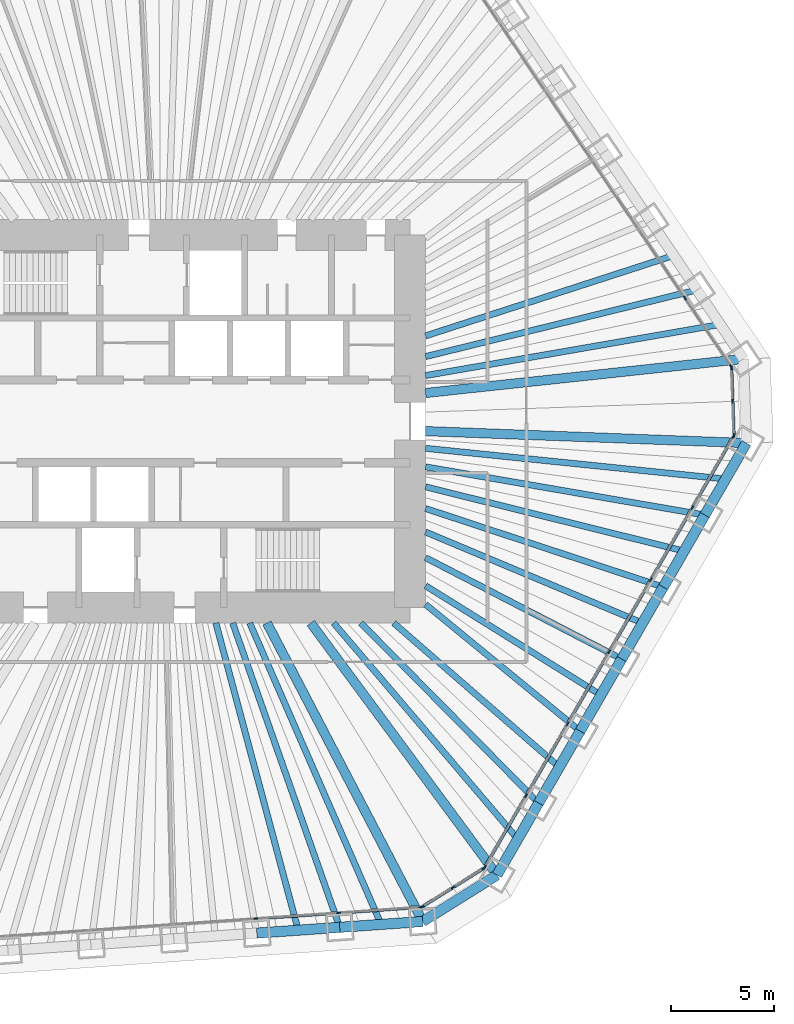
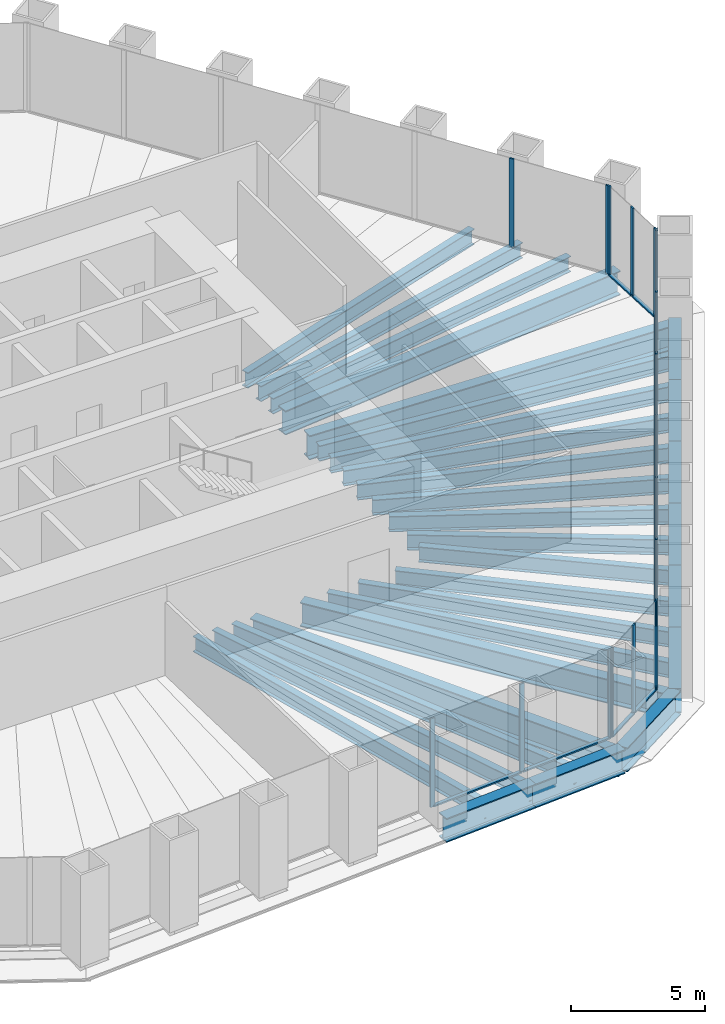
# One storey, part 4 of 13: 30 beams, 30 members, 5 elements without a shape of their own.
"""IFC4 building model written with IfcOpenShell, lengths in metres."""

from ifc_helpers import new_model, si_unit, direction, frame, origin, origin_2d, place, context, subcontext, project, spatial, rectangle, i_section, extrude, material, material_profile, profile_set, type_object, element, aggregate, save


model = new_model("IFC4")

# Units and contexts
model_context = context("Model", 3, precision=1e-05, world=origin(), true_north=direction((0.0, 1.0)))
body_context = subcontext(model_context, "Body", "Model", "MODEL_VIEW")
ifc_project = project(units=[si_unit("LENGTHUNIT", "METRE"), si_unit("AREAUNIT", "SQUARE_METRE"), si_unit("VOLUMEUNIT", "CUBIC_METRE"), si_unit("PLANEANGLEUNIT", "RADIAN"), si_unit("MASSUNIT", "GRAM", prefix="KILO")], contexts=[model_context])

# Site, building, storey
site_placement = place(None, origin())
site = spatial("IfcSite", under=ifc_project, at=site_placement, CompositionType="ELEMENT")
building_placement = place(site_placement, origin())
building = spatial("IfcBuilding", under=site, at=building_placement, Name="Qingtian Harvest Tower", CompositionType="ELEMENT")
storey_placement = place(building_placement, frame((0.0, 0.0, 140.800048828125)))
storey = spatial("IfcBuildingStorey", under=building, at=storey_placement, Name="L29", CompositionType="ELEMENT", Elevation=140.800048828125)

# Beams
ifc_material_1 = material(Name="Steel SM570MC", Category="steel")
ifc_material_profile_1 = material_profile(ifc_material_1, i_section(OverallWidth=0.449951171875, OverallDepth=1.10009765625, WebThickness=0.02197265625, FlangeThickness=0.044921875, at=origin_2d()), Name="H1100x450x22x45")
ifc_profile_set_1 = profile_set([ifc_material_profile_1], Name="Steel SM570MC")
beam_type_1 = type_object("IfcBeamType", Name="Corner floor beam FB8 H1100x450x22x45", PredefinedType="BEAM", material=ifc_profile_set_1)
beam_1_placement = place(storey_placement, frame((28.119384765625, 3.0185546875, -0.719970703125), z_axis=(-0.994287324052, -0.106736672374, 0.0), x_axis=(0.106736672374, -0.994287324052, 0.0)))
element("IfcBeam", 1, at=beam_1_placement, inside=storey, type_object=beam_type_1, Name="Floor beam FB8 NE6", PredefinedType="BEAM", context=body_context, shape_type="SweptSolid", body=[
    extrude(i_section(OverallWidth=0.449951171875, OverallDepth=1.10009765625, WebThickness=0.02197265625, FlangeThickness=0.044921875, at=origin_2d()), origin(), (0.0, 0.0, 1.0), 15.457763671875),
])
beam_2_placement = place(storey_placement, frame((28.261474609375, -1.049560546875, -0.719970703125), z_axis=(-0.999311425285, 0.03710357523, 0.0), x_axis=(-0.03710357523, -0.999311425285, 0.0)))
element("IfcBeam", 2, at=beam_2_placement, inside=storey, type_object=beam_type_1, Name="Floor beam FB8 SE0", PredefinedType="BEAM", context=body_context, shape_type="SweptSolid", body=[
    extrude(i_section(OverallWidth=0.449951171875, OverallDepth=1.10009765625, WebThickness=0.02197265625, FlangeThickness=0.044921875, at=origin_2d()), origin(), (0.0, 0.0, 1.0), 15.522216796875),
])
beam_3_placement = place(storey_placement, frame((16.204345703125, -21.933349609375, -0.719970703125), z_axis=(-0.594215666968, 0.804305751023, 0.0), x_axis=(-0.804305751023, -0.594215666968, 0.0)))
element("IfcBeam", 3, at=beam_3_placement, inside=storey, type_object=beam_type_1, Name="Floor beam FB8 SE6", PredefinedType="BEAM", context=body_context, shape_type="SweptSolid", body=[
    extrude(i_section(OverallWidth=0.449951171875, OverallDepth=1.10009765625, WebThickness=0.02197265625, FlangeThickness=0.044921875, at=origin_2d()), origin(), (0.0, 0.0, 1.0), 15.147705078125),
])
beam_4_placement = place(storey_placement, frame((12.610107421875, -24.17919921875, -0.719970703125), z_axis=(-0.462414751295, 0.886663745613, 0.0), x_axis=(-0.886663745613, -0.462414751295, 0.0)))
element("IfcBeam", 4, at=beam_4_placement, inside=storey, type_object=beam_type_1, Name="Floor beam FB8 S0", PredefinedType="BEAM", context=body_context, shape_type="SweptSolid", body=[
    extrude(i_section(OverallWidth=0.449951171875, OverallDepth=1.10009765625, WebThickness=0.02197265625, FlangeThickness=0.044921875, at=origin_2d()), origin(), (0.0, 0.0, 1.0), 16.273681640625),
])
ifc_material_2 = material(Name="Steel SN490B", Category="steel")
ifc_material_profile_2 = material_profile(ifc_material_2, i_section(OverallWidth=0.300048828125, OverallDepth=0.699951171875, WebThickness=0.012939453125, FlangeThickness=0.02392578125, at=origin_2d()), Name="H700x300x13x24")
ifc_profile_set_2 = profile_set([ifc_material_profile_2], Name="Steel SN490B")
beam_type_2 = type_object("IfcBeamType", Name="Floor beam FB2 H700x300x13x24", PredefinedType="BEAM", material=ifc_profile_set_2)
beam_5_placement = place(storey_placement, frame((25.8720703125, 6.3505859375, -0.52001953125), z_axis=(-0.971170997483, -0.2383839207, 0.0), x_axis=(0.2383839207, -0.971170997483, 0.0)))
element("IfcBeam", 5, at=beam_5_placement, inside=storey, type_object=beam_type_2, Name="Floor beam FB2 NE5", PredefinedType="BEAM", context=body_context, shape_type="SweptSolid", body=[
    extrude(i_section(OverallWidth=0.300048828125, OverallDepth=0.699951171875, WebThickness=0.012939453125, FlangeThickness=0.02392578125, at=origin_2d()), origin(), (0.0, 0.0, 1.0), 13.511474609375),
])
beam_6_placement = place(storey_placement, frame((26.251953125, -4.5302734375, -0.52001953125), z_axis=(-0.985433767107, 0.170059667895, 0.0), x_axis=(-0.170059667895, -0.985433767107, 0.0)))
element("IfcBeam", 6, at=beam_6_placement, inside=storey, type_object=beam_type_2, Name="Floor beam FB2 SE1", PredefinedType="BEAM", context=body_context, shape_type="SweptSolid", body=[
    extrude(i_section(OverallWidth=0.300048828125, OverallDepth=0.699951171875, WebThickness=0.012939453125, FlangeThickness=0.02392578125, at=origin_2d()), origin(), (0.0, 0.0, 1.0), 13.701416015625),
])
beam_7_placement = place(storey_placement, frame((24.242431640625, -8.010986328125, -0.52001953125), z_axis=(-0.949497047328, 0.31377596644, 0.0), x_axis=(-0.31377596644, -0.949497047328, 0.0)))
element("IfcBeam", 7, at=beam_7_placement, inside=storey, type_object=beam_type_2, Name="Floor beam FB2 SE2", PredefinedType="BEAM", context=body_context, shape_type="SweptSolid", body=[
    extrude(i_section(OverallWidth=0.300048828125, OverallDepth=0.699951171875, WebThickness=0.012939453125, FlangeThickness=0.02392578125, at=origin_2d()), origin(), (0.0, 0.0, 1.0), 12.103759765625),
])
beam_8_placement = place(storey_placement, frame((22.23291015625, -11.491455078125, -0.52001953125), z_axis=(-0.888354700773, 0.459157843899, 0.0), x_axis=(-0.459157843899, -0.888354700773, 0.0)))
element("IfcBeam", 8, at=beam_8_placement, inside=storey, type_object=beam_type_2, Name="Floor beam FB2 SE3", PredefinedType="BEAM", context=body_context, shape_type="SweptSolid", body=[
    extrude(i_section(OverallWidth=0.300048828125, OverallDepth=0.699951171875, WebThickness=0.012939453125, FlangeThickness=0.02392578125, at=origin_2d()), origin(), (0.0, 0.0, 1.0), 10.6748046875),
])
beam_9_placement = place(storey_placement, frame((20.223388671875, -14.97216796875, -0.52001953125), z_axis=(-0.773577716445, 0.633701441233, 0.0), x_axis=(-0.633701441233, -0.773577716445, 0.0)))
element("IfcBeam", 9, at=beam_9_placement, inside=storey, type_object=beam_type_2, Name="Floor beam FB2 SE4", PredefinedType="BEAM", context=body_context, shape_type="SweptSolid", body=[
    extrude(i_section(OverallWidth=0.300048828125, OverallDepth=0.699951171875, WebThickness=0.012939453125, FlangeThickness=0.02392578125, at=origin_2d()), origin(), (0.0, 0.0, 1.0), 9.660888671875),
])
beam_10_placement = place(storey_placement, frame((18.2138671875, -18.452880859375, -0.52001953125), z_axis=(-0.702479751847, 0.711703729262, 0.0), x_axis=(-0.711703729262, -0.702479751847, 0.0)))
element("IfcBeam", 10, at=beam_10_placement, inside=storey, type_object=beam_type_2, Name="Floor beam FB2 SE5", PredefinedType="BEAM", context=body_context, shape_type="SweptSolid", body=[
    extrude(i_section(OverallWidth=0.300048828125, OverallDepth=0.699951171875, WebThickness=0.012939453125, FlangeThickness=0.02392578125, at=origin_2d()), origin(), (0.0, 0.0, 1.0), 12.228271484375),
])
beam_11_placement = place(storey_placement, frame((8.600830078125, -24.459716796875, -0.52001953125), z_axis=(-0.331719146802, 0.943378189087, 0.0), x_axis=(-0.943378189087, -0.331719146802, 0.0)))
element("IfcBeam", 11, at=beam_11_placement, inside=storey, type_object=beam_type_2, Name="Floor beam FB2 S1", PredefinedType="BEAM", context=body_context, shape_type="SweptSolid", body=[
    extrude(i_section(OverallWidth=0.300048828125, OverallDepth=0.699951171875, WebThickness=0.012939453125, FlangeThickness=0.02392578125, at=origin_2d()), origin(), (0.0, 0.0, 1.0), 15.592529296875),
])
ifc_material_3 = material(Name="Steel SN490B", Category="steel")
ifc_material_profile_3 = material_profile(ifc_material_3, i_section(OverallWidth=0.300048828125, OverallDepth=0.699951171875, WebThickness=0.012939453125, FlangeThickness=0.02392578125, at=origin_2d()), Name="H700x300x13x24")
ifc_profile_set_3 = profile_set([ifc_material_profile_3], Name="Steel SN490B")
beam_type_3 = type_object("IfcBeamType", Name="Floor joist J2 H700x300x13x24", PredefinedType="JOIST", material=ifc_profile_set_3)
beam_12_placement = place(storey_placement, frame((24.748291015625, 8.016357421875, -0.52001953125), z_axis=(-0.951335907519, -0.308155790249, 0.0), x_axis=(0.308155790249, -0.951335907519, 0.0)))
element("IfcBeam", 12, at=beam_12_placement, inside=storey, type_object=beam_type_3, Name="Floor joist J2 NE4", PredefinedType="JOIST", context=body_context, shape_type="SweptSolid", body=[
    extrude(i_section(OverallWidth=0.300048828125, OverallDepth=0.699951171875, WebThickness=0.012939453125, FlangeThickness=0.02392578125, at=origin_2d()), origin(), (0.0, 0.0, 1.0), 12.612060546875),
])
beam_13_placement = place(storey_placement, frame((26.99560546875, 4.6845703125, -0.52001953125), z_axis=(-0.985273903188, -0.17098343691, 0.0), x_axis=(0.17098343691, -0.985273903188, 0.0)))
element("IfcBeam", 13, at=beam_13_placement, inside=storey, type_object=beam_type_3, Name="Floor joist J2 NE5", PredefinedType="JOIST", context=body_context, shape_type="SweptSolid", body=[
    extrude(i_section(OverallWidth=0.300048828125, OverallDepth=0.699951171875, WebThickness=0.012939453125, FlangeThickness=0.02392578125, at=origin_2d()), origin(), (0.0, 0.0, 1.0), 14.45849609375),
])
beam_14_placement = place(storey_placement, frame((27.2568359375, -2.7900390625, -0.52001953125), z_axis=(-0.994802418411, 0.101824104826, 0.0), x_axis=(-0.101824104826, -0.994802418411, 0.0)))
element("IfcBeam", 14, at=beam_14_placement, inside=storey, type_object=beam_type_3, Name="Floor joist J2 SE0", PredefinedType="JOIST", context=body_context, shape_type="SweptSolid", body=[
    extrude(i_section(OverallWidth=0.300048828125, OverallDepth=0.699951171875, WebThickness=0.012939453125, FlangeThickness=0.02392578125, at=origin_2d()), origin(), (0.0, 0.0, 1.0), 14.58251953125),
])
beam_15_placement = place(storey_placement, frame((25.247314453125, -6.2705078125, -0.52001953125), z_axis=(-0.970517179244, 0.241031958032, 0.0), x_axis=(-0.241031958032, -0.970517179244, 0.0)))
element("IfcBeam", 15, at=beam_15_placement, inside=storey, type_object=beam_type_3, Name="Floor joist J2 SE1", PredefinedType="JOIST", context=body_context, shape_type="SweptSolid", body=[
    extrude(i_section(OverallWidth=0.300048828125, OverallDepth=0.699951171875, WebThickness=0.012939453125, FlangeThickness=0.02392578125, at=origin_2d()), origin(), (0.0, 0.0, 1.0), 12.876953125),
])
beam_16_placement = place(storey_placement, frame((23.237548828125, -9.751220703125, -0.52001953125), z_axis=(-0.922104219626, 0.386941608189, 0.0), x_axis=(-0.386941608189, -0.922104219626, 0.0)))
element("IfcBeam", 16, at=beam_16_placement, inside=storey, type_object=beam_type_3, Name="Floor joist J2 SE2", PredefinedType="JOIST", context=body_context, shape_type="SweptSolid", body=[
    extrude(i_section(OverallWidth=0.300048828125, OverallDepth=0.699951171875, WebThickness=0.012939453125, FlangeThickness=0.02392578125, at=origin_2d()), origin(), (0.0, 0.0, 1.0), 11.37353515625),
])
beam_17_placement = place(storey_placement, frame((21.22802734375, -13.23193359375, -0.52001953125), z_axis=(-0.848631984892, 0.528983699389, 0.0), x_axis=(-0.528983699389, -0.848631984892, 0.0)))
element("IfcBeam", 17, at=beam_17_placement, inside=storey, type_object=beam_type_3, Name="Floor joist J2 SE3", PredefinedType="JOIST", context=body_context, shape_type="SweptSolid", body=[
    extrude(i_section(OverallWidth=0.300048828125, OverallDepth=0.699951171875, WebThickness=0.012939453125, FlangeThickness=0.02392578125, at=origin_2d()), origin(), (0.0, 0.0, 1.0), 9.990234375),
])
beam_18_placement = place(storey_placement, frame((19.218505859375, -16.71240234375, -0.52001953125), z_axis=(-0.754588679317, 0.656198083697, 0.0), x_axis=(-0.656198083697, -0.754588679317, 0.0)))
element("IfcBeam", 18, at=beam_18_placement, inside=storey, type_object=beam_type_3, Name="Floor joist J2 SE4", PredefinedType="JOIST", context=body_context, shape_type="SweptSolid", body=[
    extrude(i_section(OverallWidth=0.300048828125, OverallDepth=0.699951171875, WebThickness=0.012939453125, FlangeThickness=0.02392578125, at=origin_2d()), origin(), (0.0, 0.0, 1.0), 10.610107421875),
])
beam_19_placement = place(storey_placement, frame((17.208984375, -20.193115234375, -0.52001953125), z_axis=(-0.648631797865, 0.76110235238, 0.0), x_axis=(-0.76110235238, -0.648631797865, 0.0)))
element("IfcBeam", 19, at=beam_19_placement, inside=storey, type_object=beam_type_3, Name="Floor joist J2 SE5", PredefinedType="JOIST", context=body_context, shape_type="SweptSolid", body=[
    extrude(i_section(OverallWidth=0.300048828125, OverallDepth=0.699951171875, WebThickness=0.012939453125, FlangeThickness=0.02392578125, at=origin_2d()), origin(), (0.0, 0.0, 1.0), 13.720947265625),
])
beam_20_placement = place(storey_placement, frame((10.60546875, -24.3193359375, -0.52001953125), z_axis=(-0.399732363577, 0.916631898588, 0.0), x_axis=(-0.916631898588, -0.399732363577, 0.0)))
element("IfcBeam", 20, at=beam_20_placement, inside=storey, type_object=beam_type_3, Name="Floor joist J2 S0", PredefinedType="JOIST", context=body_context, shape_type="SweptSolid", body=[
    extrude(i_section(OverallWidth=0.300048828125, OverallDepth=0.699951171875, WebThickness=0.012939453125, FlangeThickness=0.02392578125, at=origin_2d()), origin(), (0.0, 0.0, 1.0), 15.89453125),
])
beam_21_placement = place(storey_placement, frame((6.59619140625, -24.599853515625, -0.52001953125), z_axis=(-0.258996688759, 0.965878209306, 0.0), x_axis=(-0.965878209306, -0.258996688759, 0.0)))
element("IfcBeam", 21, at=beam_21_placement, inside=storey, type_object=beam_type_3, Name="Floor joist J2 S1", PredefinedType="JOIST", context=body_context, shape_type="SweptSolid", body=[
    extrude(i_section(OverallWidth=0.300048828125, OverallDepth=0.699951171875, WebThickness=0.012939453125, FlangeThickness=0.02392578125, at=origin_2d()), origin(), (0.0, 0.0, 1.0), 15.37451171875),
])

# Curtain wall, members
ifc_material_4 = material(Name="Bronze-anodised aluminium curtain wall", Category="aluminium")
curtain_wall_type = type_object("IfcCurtainWallType", Name="Curtain wall CW4 office", PredefinedType="USERDEFINED", material=ifc_material_4)
curtain_wall_1_placement = place(storey_placement, origin())
curtain_wall_1 = element("IfcCurtainWall", 22, at=curtain_wall_1_placement, inside=storey, type_object=curtain_wall_type, Name="Curtain wall CW4 L29 NE0-5", ObjectType="RECESSED CURTAIN WALL", PredefinedType="USERDEFINED")
ifc_material_5 = material(Name="Bronze-anodised aluminium mullion", Category="aluminium")
ifc_material_profile_4 = material_profile(ifc_material_5, rectangle(XDim=0.06494140625, YDim=0.199951171875, at=origin_2d()), Name="AL 65x200")
ifc_profile_set_4 = profile_set([ifc_material_profile_4], Name="Bronze-anodised aluminium mullion")
member_type_1 = type_object("IfcMemberType", Name="Mullion CWM 65x200", PredefinedType="MULLION", material=ifc_profile_set_4)
member_1_placement = place(storey_placement, frame((25.291748046875, 5.958984375, 0.0), z_axis=(0.0, 0.0, 1.0), x_axis=(0.829037572555, 0.559192903471, 0.0)))
member_1 = element("IfcMember", 23, at=member_1_placement, type_object=member_type_1, Name="CW4 mullion 6", PredefinedType="MULLION", context=body_context, shape_type="SweptSolid", body=[
    extrude(rectangle(XDim=0.06494140625, YDim=0.199951171875, at=origin_2d()), origin(), (0.0, 0.0, 1.0), 4.030029296875),
])
member_2_placement = place(storey_placement, frame((27.52099609375, 2.654052734375, 0.0), z_axis=(0.0, 0.0, 1.0), x_axis=(0.829037572555, 0.559192903471, 0.0)))
member_2 = element("IfcMember", 24, at=member_2_placement, type_object=member_type_1, Name="CW4 mullion 7", PredefinedType="MULLION", context=body_context, shape_type="SweptSolid", body=[
    extrude(rectangle(XDim=0.06494140625, YDim=0.199951171875, at=origin_2d()), origin(), (0.0, 0.0, 1.0), 4.030029296875),
])
aggregate(curtain_wall_1, [member_1, member_2])

curtain_wall_2_placement = place(storey_placement, origin())
curtain_wall_2 = element("IfcCurtainWall", 25, at=curtain_wall_2_placement, inside=storey, type_object=curtain_wall_type, Name="Curtain wall CW4 L29 NEC", ObjectType="RECESSED CURTAIN WALL", PredefinedType="USERDEFINED")
member_3_placement = place(storey_placement, frame((27.540283203125, 2.594482421875, 0.0), z_axis=(0.0, 0.0, 1.0), x_axis=(0.999390827019, 0.034899496703, 0.0)))
member_3 = element("IfcMember", 26, at=member_3_placement, type_object=member_type_1, Name="CW4 mullion 1", PredefinedType="MULLION", context=body_context, shape_type="SweptSolid", body=[
    extrude(rectangle(XDim=0.06494140625, YDim=0.199951171875, at=origin_2d()), origin(), (0.0, 0.0, 1.0), 4.030029296875),
])
member_4_placement = place(storey_placement, frame((27.59716796875, 0.963623046875, 0.0), z_axis=(0.0, 0.0, 1.0), x_axis=(0.999390827019, 0.034899496703, 0.0)))
member_4 = element("IfcMember", 27, at=member_4_placement, type_object=member_type_1, Name="CW4 mullion 2", PredefinedType="MULLION", context=body_context, shape_type="SweptSolid", body=[
    extrude(rectangle(XDim=0.06494140625, YDim=0.199951171875, at=origin_2d()), origin(), (0.0, 0.0, 1.0), 4.030029296875),
])
member_5_placement = place(storey_placement, frame((27.654052734375, -0.667236328125, 0.0), z_axis=(0.0, 0.0, 1.0), x_axis=(0.999390827019, 0.034899496703, 0.0)))
member_5 = element("IfcMember", 28, at=member_5_placement, type_object=member_type_1, Name="CW4 mullion 3", PredefinedType="MULLION", context=body_context, shape_type="SweptSolid", body=[
    extrude(rectangle(XDim=0.06494140625, YDim=0.199951171875, at=origin_2d()), origin(), (0.0, 0.0, 1.0), 4.030029296875),
])

curtain_wall_3_placement = place(storey_placement, origin())
curtain_wall_3 = element("IfcCurtainWall", 29, at=curtain_wall_3_placement, inside=storey, type_object=curtain_wall_type, Name="Curtain wall CW4 L29 SE0-5", ObjectType="RECESSED CURTAIN WALL", PredefinedType="USERDEFINED")
member_6_placement = place(storey_placement, frame((27.638916015625, -0.727783203125, 0.0), z_axis=(0.0, 0.0, 1.0), x_axis=(0.866025403784, -0.5, 0.0)))
member_6 = element("IfcMember", 30, at=member_6_placement, type_object=member_type_1, Name="CW4 mullion 1", PredefinedType="MULLION", context=body_context, shape_type="SweptSolid", body=[
    extrude(rectangle(XDim=0.06494140625, YDim=0.199951171875, at=origin_2d()), origin(), (0.0, 0.0, 1.0), 4.030029296875),
])
member_7_placement = place(storey_placement, frame((25.645751953125, -4.18017578125, 0.0), z_axis=(0.0, 0.0, 1.0), x_axis=(0.866025403784, -0.5, 0.0)))
member_7 = element("IfcMember", 31, at=member_7_placement, type_object=member_type_1, Name="CW4 mullion 2", PredefinedType="MULLION", context=body_context, shape_type="SweptSolid", body=[
    extrude(rectangle(XDim=0.06494140625, YDim=0.199951171875, at=origin_2d()), origin(), (0.0, 0.0, 1.0), 4.030029296875),
])
member_8_placement = place(storey_placement, frame((23.63623046875, -7.660888671875, 0.0), z_axis=(0.0, 0.0, 1.0), x_axis=(0.866025403784, -0.5, 0.0)))
member_8 = element("IfcMember", 32, at=member_8_placement, type_object=member_type_1, Name="CW4 mullion 3", PredefinedType="MULLION", context=body_context, shape_type="SweptSolid", body=[
    extrude(rectangle(XDim=0.06494140625, YDim=0.199951171875, at=origin_2d()), origin(), (0.0, 0.0, 1.0), 4.030029296875),
])
member_9_placement = place(storey_placement, frame((21.626708984375, -11.1416015625, 0.0), z_axis=(0.0, 0.0, 1.0), x_axis=(0.866025403784, -0.5, 0.0)))
member_9 = element("IfcMember", 33, at=member_9_placement, type_object=member_type_1, Name="CW4 mullion 4", PredefinedType="MULLION", context=body_context, shape_type="SweptSolid", body=[
    extrude(rectangle(XDim=0.06494140625, YDim=0.199951171875, at=origin_2d()), origin(), (0.0, 0.0, 1.0), 4.030029296875),
])
member_10_placement = place(storey_placement, frame((19.6171875, -14.6220703125, 0.0), z_axis=(0.0, 0.0, 1.0), x_axis=(0.866025403784, -0.5, 0.0)))
member_10 = element("IfcMember", 34, at=member_10_placement, type_object=member_type_1, Name="CW4 mullion 5", PredefinedType="MULLION", context=body_context, shape_type="SweptSolid", body=[
    extrude(rectangle(XDim=0.06494140625, YDim=0.199951171875, at=origin_2d()), origin(), (0.0, 0.0, 1.0), 4.030029296875),
])
member_11_placement = place(storey_placement, frame((17.607666015625, -18.102783203125, 0.0), z_axis=(0.0, 0.0, 1.0), x_axis=(0.866025403784, -0.5, 0.0)))
member_11 = element("IfcMember", 35, at=member_11_placement, type_object=member_type_1, Name="CW4 mullion 6", PredefinedType="MULLION", context=body_context, shape_type="SweptSolid", body=[
    extrude(rectangle(XDim=0.06494140625, YDim=0.199951171875, at=origin_2d()), origin(), (0.0, 0.0, 1.0), 4.030029296875),
])
member_12_placement = place(storey_placement, frame((15.6142578125, -21.55517578125, 0.0), z_axis=(0.0, 0.0, 1.0), x_axis=(0.866025403784, -0.5, 0.0)))
member_12 = element("IfcMember", 36, at=member_12_placement, type_object=member_type_1, Name="CW4 mullion 7", PredefinedType="MULLION", context=body_context, shape_type="SweptSolid", body=[
    extrude(rectangle(XDim=0.06494140625, YDim=0.199951171875, at=origin_2d()), origin(), (0.0, 0.0, 1.0), 4.030029296875),
])

curtain_wall_4_placement = place(storey_placement, origin())
curtain_wall_4 = element("IfcCurtainWall", 37, at=curtain_wall_4_placement, inside=storey, type_object=curtain_wall_type, Name="Curtain wall CW4 L29 SEC", ObjectType="RECESSED CURTAIN WALL", PredefinedType="USERDEFINED")
member_13_placement = place(storey_placement, frame((15.570556640625, -21.6005859375, 0.0), z_axis=(0.0, 0.0, 1.0), x_axis=(0.529919264233, -0.848048096156, 0.0)))
member_13 = element("IfcMember", 38, at=member_13_placement, type_object=member_type_1, Name="CW4 mullion 1", PredefinedType="MULLION", context=body_context, shape_type="SweptSolid", body=[
    extrude(rectangle(XDim=0.06494140625, YDim=0.199951171875, at=origin_2d()), origin(), (0.0, 0.0, 1.0), 4.030029296875),
])
member_14_placement = place(storey_placement, frame((14.07958984375, -22.5322265625, 0.0), z_axis=(0.0, 0.0, 1.0), x_axis=(0.529919264233, -0.848048096156, 0.0)))
member_14 = element("IfcMember", 39, at=member_14_placement, type_object=member_type_1, Name="CW4 mullion 2", PredefinedType="MULLION", context=body_context, shape_type="SweptSolid", body=[
    extrude(rectangle(XDim=0.06494140625, YDim=0.199951171875, at=origin_2d()), origin(), (0.0, 0.0, 1.0), 4.030029296875),
])
member_15_placement = place(storey_placement, frame((12.5888671875, -23.4638671875, 0.0), z_axis=(0.0, 0.0, 1.0), x_axis=(0.529919264233, -0.848048096156, 0.0)))
member_15 = element("IfcMember", 40, at=member_15_placement, type_object=member_type_1, Name="CW4 mullion 3", PredefinedType="MULLION", context=body_context, shape_type="SweptSolid", body=[
    extrude(rectangle(XDim=0.06494140625, YDim=0.199951171875, at=origin_2d()), origin(), (0.0, 0.0, 1.0), 4.030029296875),
])

curtain_wall_5_placement = place(storey_placement, origin())
curtain_wall_5 = element("IfcCurtainWall", 41, at=curtain_wall_5_placement, inside=storey, type_object=curtain_wall_type, Name="Curtain wall CW4 L29 S0-5", ObjectType="RECESSED CURTAIN WALL", PredefinedType="USERDEFINED")
member_16_placement = place(storey_placement, frame((12.52880859375, -23.483154296875, 0.0), z_axis=(0.0, 0.0, 1.0), x_axis=(0.069756473744, -0.99756405026, 0.0)))
member_16 = element("IfcMember", 42, at=member_16_placement, type_object=member_type_1, Name="CW4 mullion 1", PredefinedType="MULLION", context=body_context, shape_type="SweptSolid", body=[
    extrude(rectangle(XDim=0.06494140625, YDim=0.199951171875, at=origin_2d()), origin(), (0.0, 0.0, 1.0), 4.030029296875),
])
member_17_placement = place(storey_placement, frame((8.552001953125, -23.76123046875, 0.0), z_axis=(0.0, 0.0, 1.0), x_axis=(0.069756473744, -0.99756405026, 0.0)))
member_17 = element("IfcMember", 43, at=member_17_placement, type_object=member_type_1, Name="CW4 mullion 2", PredefinedType="MULLION", context=body_context, shape_type="SweptSolid", body=[
    extrude(rectangle(XDim=0.06494140625, YDim=0.199951171875, at=origin_2d()), origin(), (0.0, 0.0, 1.0), 4.030029296875),
])
member_18_placement = place(storey_placement, frame((4.542724609375, -24.041748046875, 0.0), z_axis=(0.0, 0.0, 1.0), x_axis=(0.069756473744, -0.99756405026, 0.0)))
member_18 = element("IfcMember", 44, at=member_18_placement, type_object=member_type_1, Name="CW4 mullion 3", PredefinedType="MULLION", context=body_context, shape_type="SweptSolid", body=[
    extrude(rectangle(XDim=0.06494140625, YDim=0.199951171875, at=origin_2d()), origin(), (0.0, 0.0, 1.0), 4.030029296875),
])

# Beams
ifc_material_6 = material(Name="Steel SM570MC", Category="steel")
ifc_material_profile_5 = material_profile(ifc_material_6, i_section(OverallWidth=0.5, OverallDepth=1.10009765625, WebThickness=0.02490234375, FlangeThickness=0.050048828125, at=origin_2d()), Name="H1100x500x25x50")
ifc_profile_set_5 = profile_set([ifc_material_profile_5], Name="Steel SM570MC")
beam_type_4 = type_object("IfcBeamType", Name="Spandrel beam SB2 H1100x500x25x50", PredefinedType="SPANDREL", material=ifc_profile_set_5)
for number, where, z_axis, x_axis, name in (
    (45, (28.261474609375, -1.049560546875, -0.550048828125), (-0.499987116613, -0.866032841884, 0.0), (0.866032841884, -0.499987116613, 0.0), "Spandrel SB2 SE0"),
    (46, (26.251953125, -4.5302734375, -0.550048828125), (-0.499987116613, -0.866032841884, 0.0), (0.866032841884, -0.499987116613, 0.0), "Spandrel SB2 SE1"),
    (47, (24.242431640625, -8.010986328125, -0.550048828125), (-0.500013420409, -0.866017655369, 0.0), (0.866017655369, -0.500013420409, 0.0), "Spandrel SB2 SE2"),
    (48, (22.23291015625, -11.491455078125, -0.550048828125), (-0.499987116613, -0.866032841884, 0.0), (0.866032841884, -0.499987116613, 0.0), "Spandrel SB2 SE3"),
    (49, (20.223388671875, -14.97216796875, -0.550048828125), (-0.499987116613, -0.866032841884, 0.0), (0.866032841884, -0.499987116613, 0.0), "Spandrel SB2 SE4"),
    (50, (18.2138671875, -18.452880859375, -0.550048828125), (-0.500013420409, -0.866017655369, 0.0), (0.866017655369, -0.500013420409, 0.0), "Spandrel SB2 SE5"),
):
    element("IfcBeam", number, at=place(storey_placement, frame(where, z_axis=z_axis, x_axis=x_axis)), inside=storey, type_object=beam_type_4, Name=name, PredefinedType="SPANDREL", context=body_context, shape_type="SweptSolid", body=[
        extrude(i_section(OverallWidth=0.5, OverallDepth=1.10009765625, WebThickness=0.02490234375, FlangeThickness=0.050048828125, at=origin_2d()), origin(), (0.0, 0.0, 1.0), 4.01904296875),
    ])
beam_22_placement = place(storey_placement, frame((16.204345703125, -21.933349609375, -0.550048828125), z_axis=(-0.848056550838, -0.529905733675, 0.0), x_axis=(0.529905733675, -0.848056550838, 0.0)))
element("IfcBeam", 51, at=beam_22_placement, inside=storey, type_object=beam_type_4, Name="Spandrel SB2 SEC", PredefinedType="SPANDREL", context=body_context, shape_type="SweptSolid", body=[
    extrude(i_section(OverallWidth=0.5, OverallDepth=1.10009765625, WebThickness=0.02490234375, FlangeThickness=0.050048828125, at=origin_2d()), origin(), (0.0, 0.0, 1.0), 4.23828125),
])
for number, where, z_axis, x_axis, name in (
    (52, (12.610107421875, -24.17919921875, -0.550048828125), (-0.997561251588, -0.069796485086, 0.0), (0.069796485086, -0.997561251588, 0.0), "Spandrel SB2 S0"),
    (53, (8.600830078125, -24.459716796875, -0.550048828125), (-0.997565479251, -0.069736035208, 0.0), (0.069736035208, -0.997565479251, 0.0), "Spandrel SB2 S1"),
):
    element("IfcBeam", number, at=place(storey_placement, frame(where, z_axis=z_axis, x_axis=x_axis)), inside=storey, type_object=beam_type_4, Name=name, PredefinedType="SPANDREL", context=body_context, shape_type="SweptSolid", body=[
        extrude(i_section(OverallWidth=0.5, OverallDepth=1.10009765625, WebThickness=0.02490234375, FlangeThickness=0.050048828125, at=origin_2d()), origin(), (0.0, 0.0, 1.0), 4.01904296875),
    ])

# Member
ifc_material_7 = material(Name="Bronze-anodised aluminium transom", Category="aluminium")
ifc_material_profile_6 = material_profile(ifc_material_7, rectangle(XDim=0.14990234375, YDim=0.06494140625, at=origin_2d()), Name="AL 65x150")
ifc_profile_set_6 = profile_set([ifc_material_profile_6], Name="Bronze-anodised aluminium transom")
member_type_2 = type_object("IfcMemberType", Name="Transom CWT 65x150", PredefinedType="USERDEFINED", material=ifc_profile_set_6)
member_19_placement = place(storey_placement, frame((27.541259765625, 2.56201171875, 0.032470703125), z_axis=(0.034902326647, -0.999390728191, 0.0), x_axis=(0.999390728191, 0.034902326647, 0.0)))
member_19 = element("IfcMember", 54, at=member_19_placement, type_object=member_type_2, Name="CW4 transom 1.1", ObjectType="TRANSOM", PredefinedType="USERDEFINED", context=body_context, shape_type="SweptSolid", body=[
    extrude(rectangle(XDim=0.14990234375, YDim=0.06494140625, at=origin_2d()), origin(), (0.0, 0.0, 1.0), 1.56689453125),
])

member_20_placement = place(storey_placement, frame((27.598388671875, 0.93115234375, 0.032470703125), z_axis=(0.034902326647, -0.999390728191, 0.0), x_axis=(0.999390728191, 0.034902326647, 0.0)))
member_20 = element("IfcMember", 55, at=member_20_placement, type_object=member_type_2, Name="CW4 transom 2.1", ObjectType="TRANSOM", PredefinedType="USERDEFINED", context=body_context, shape_type="SweptSolid", body=[
    extrude(rectangle(XDim=0.14990234375, YDim=0.06494140625, at=origin_2d()), origin(), (0.0, 0.0, 1.0), 1.56689453125),
])

aggregate(curtain_wall_2, [member_3, member_4, member_5, member_19, member_20])

member_21_placement = place(storey_placement, frame((27.622802734375, -0.755859375, 0.032470703125), z_axis=(-0.499975738995, -0.866039410429, 0.0), x_axis=(0.866039410429, -0.499975738995, 0.0)))
member_21 = element("IfcMember", 56, at=member_21_placement, type_object=member_type_2, Name="CW4 transom 1.1", ObjectType="TRANSOM", PredefinedType="USERDEFINED", context=body_context, shape_type="SweptSolid", body=[
    extrude(rectangle(XDim=0.14990234375, YDim=0.06494140625, at=origin_2d()), origin(), (0.0, 0.0, 1.0), 3.921630859375),
])

member_22_placement = place(storey_placement, frame((25.62939453125, -4.20849609375, 0.032470703125), z_axis=(-0.500003941941, -0.866023127892, 0.0), x_axis=(0.866023127892, -0.500003941941, 0.0)))
member_22 = element("IfcMember", 57, at=member_22_placement, type_object=member_type_2, Name="CW4 transom 2.1", ObjectType="TRANSOM", PredefinedType="USERDEFINED", context=body_context, shape_type="SweptSolid", body=[
    extrude(rectangle(XDim=0.14990234375, YDim=0.06494140625, at=origin_2d()), origin(), (0.0, 0.0, 1.0), 3.9541015625),
])

member_23_placement = place(storey_placement, frame((23.619873046875, -7.68896484375, 0.032470703125), z_axis=(-0.500003941941, -0.866023127892, 0.0), x_axis=(0.866023127892, -0.500003941941, 0.0)))
member_23 = element("IfcMember", 58, at=member_23_placement, type_object=member_type_2, Name="CW4 transom 3.1", ObjectType="TRANSOM", PredefinedType="USERDEFINED", context=body_context, shape_type="SweptSolid", body=[
    extrude(rectangle(XDim=0.14990234375, YDim=0.06494140625, at=origin_2d()), origin(), (0.0, 0.0, 1.0), 3.9541015625),
])

member_24_placement = place(storey_placement, frame((21.6103515625, -11.169677734375, 0.032470703125), z_axis=(-0.500003941941, -0.866023127892, 0.0), x_axis=(0.866023127892, -0.500003941941, 0.0)))
member_24 = element("IfcMember", 59, at=member_24_placement, type_object=member_type_2, Name="CW4 transom 4.1", ObjectType="TRANSOM", PredefinedType="USERDEFINED", context=body_context, shape_type="SweptSolid", body=[
    extrude(rectangle(XDim=0.14990234375, YDim=0.06494140625, at=origin_2d()), origin(), (0.0, 0.0, 1.0), 3.9541015625),
])

member_25_placement = place(storey_placement, frame((19.600830078125, -14.650390625, 0.032470703125), z_axis=(-0.500003941941, -0.866023127892, 0.0), x_axis=(0.866023127892, -0.500003941941, 0.0)))
member_25 = element("IfcMember", 60, at=member_25_placement, type_object=member_type_2, Name="CW4 transom 5.1", ObjectType="TRANSOM", PredefinedType="USERDEFINED", context=body_context, shape_type="SweptSolid", body=[
    extrude(rectangle(XDim=0.14990234375, YDim=0.06494140625, at=origin_2d()), origin(), (0.0, 0.0, 1.0), 3.9541015625),
])

member_26_placement = place(storey_placement, frame((17.59130859375, -18.130859375, 0.032470703125), z_axis=(-0.499975738995, -0.866039410429, 0.0), x_axis=(0.866039410429, -0.499975738995, 0.0)))
member_26 = element("IfcMember", 61, at=member_26_placement, type_object=member_type_2, Name="CW4 transom 6.1", ObjectType="TRANSOM", PredefinedType="USERDEFINED", context=body_context, shape_type="SweptSolid", body=[
    extrude(rectangle(XDim=0.14990234375, YDim=0.06494140625, at=origin_2d()), origin(), (0.0, 0.0, 1.0), 3.921630859375),
])

aggregate(curtain_wall_3, [member_6, member_7, member_8, member_9, member_10, member_11, member_12, member_21, member_22, member_23, member_24, member_25, member_26])

member_27_placement = place(storey_placement, frame((15.54296875, -21.617919921875, 0.032470703125), z_axis=(-0.848103609743, -0.529830413568, 0.0), x_axis=(0.529830413568, -0.848103609743, 0.0)))
member_27 = element("IfcMember", 62, at=member_27_placement, type_object=member_type_2, Name="CW4 transom 1.1", ObjectType="TRANSOM", PredefinedType="USERDEFINED", context=body_context, shape_type="SweptSolid", body=[
    extrude(rectangle(XDim=0.14990234375, YDim=0.06494140625, at=origin_2d()), origin(), (0.0, 0.0, 1.0), 1.69287109375),
])

member_28_placement = place(storey_placement, frame((14.052001953125, -22.54931640625, 0.032470703125), z_axis=(-0.847998304005, -0.529998940003, 0.0), x_axis=(0.529998940003, -0.847998304005, 0.0)))
member_28 = element("IfcMember", 63, at=member_28_placement, type_object=member_type_2, Name="CW4 transom 2.1", ObjectType="TRANSOM", PredefinedType="USERDEFINED", context=body_context, shape_type="SweptSolid", body=[
    extrude(rectangle(XDim=0.14990234375, YDim=0.06494140625, at=origin_2d()), origin(), (0.0, 0.0, 1.0), 1.69287109375),
])

aggregate(curtain_wall_4, [member_13, member_14, member_15, member_27, member_28])

member_29_placement = place(storey_placement, frame((12.496337890625, -23.485595703125, 0.032470703125), z_axis=(-0.99756594446, -0.069729380128, 0.0), x_axis=(0.069729380128, -0.99756594446, 0.0)))
member_29 = element("IfcMember", 64, at=member_29_placement, type_object=member_type_2, Name="CW4 transom 1.1", ObjectType="TRANSOM", PredefinedType="USERDEFINED", context=body_context, shape_type="SweptSolid", body=[
    extrude(rectangle(XDim=0.14990234375, YDim=0.06494140625, at=origin_2d()), origin(), (0.0, 0.0, 1.0), 3.92138671875),
])

member_30_placement = place(storey_placement, frame((8.51953125, -23.763671875, 0.032470703125), z_axis=(-0.997567218353, -0.069711153102, 0.0), x_axis=(0.069711153102, -0.997567218353, 0.0)))
member_30 = element("IfcMember", 65, at=member_30_placement, type_object=member_type_2, Name="CW4 transom 2.1", ObjectType="TRANSOM", PredefinedType="USERDEFINED", context=body_context, shape_type="SweptSolid", body=[
    extrude(rectangle(XDim=0.14990234375, YDim=0.06494140625, at=origin_2d()), origin(), (0.0, 0.0, 1.0), 3.953857421875),
])

aggregate(curtain_wall_5, [member_16, member_17, member_18, member_29, member_30])

save(model, "model.ifc")
